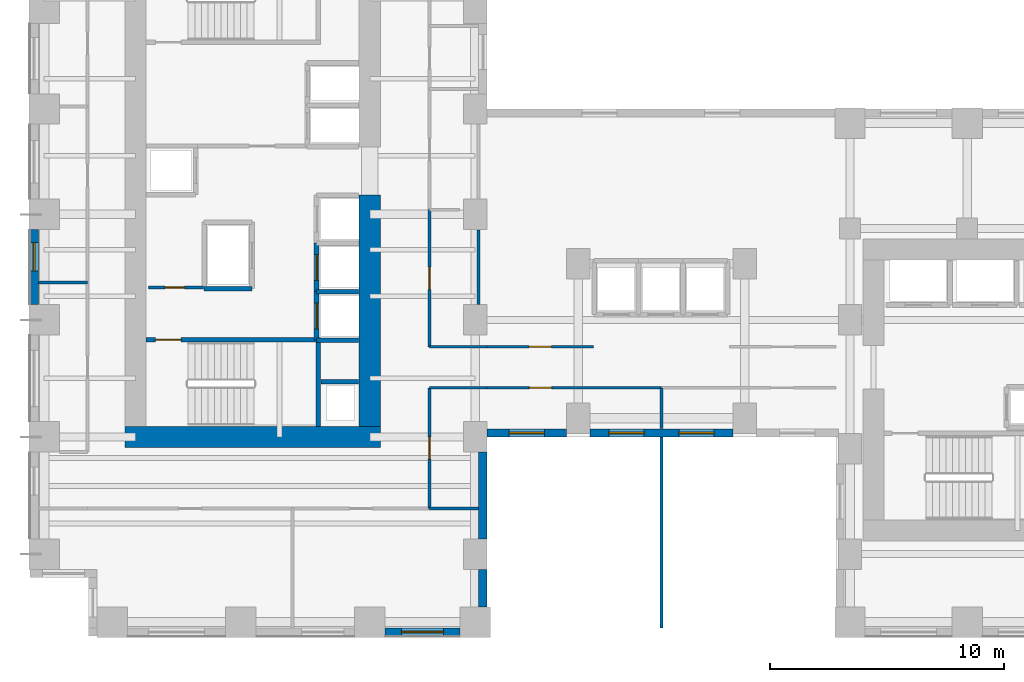
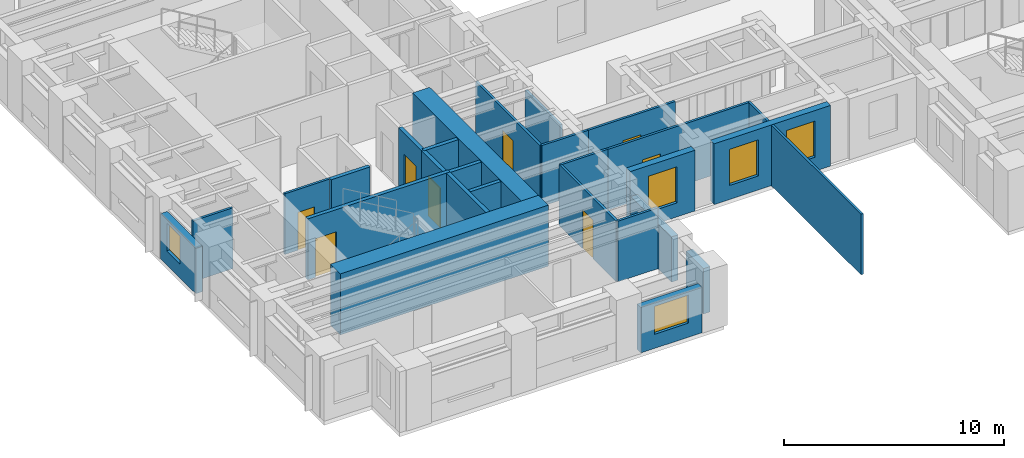
# One storey, part 4 of 12: 28 walls, 8 doors, 5 windows, 13 openings.
"""IFC4 building model written with IfcOpenShell, lengths in metres."""

import ifcopenshell
import ifcopenshell.guid

model = None  # the IFC model being written
_history = None  # IfcOwnerHistory: only IFC2X3 demands one
_inside = {}  # id of a spatial element -> (the spatial element, [elements in it])
_under = {}  # id of a project, library or spatial element -> (it, [spatial elements below it])
_declared = {}  # id of a project -> (the project, [libraries it declares])
_typed = {}  # id of a type object -> (the type object, [elements of that type])
_made_of = {}  # id of a material, layer set ... -> (it, [elements and type objects made of it])


def new_model(schema):
    """Start an empty IFC model of exactly this schema.

    Asked for "IFC4X3", IfcOpenShell would pick the latest addendum, in which some entities
    have other attributes; the version numbers below select the first issue.
    IFC2X3 requires an IfcOwnerHistory on every rooted entity: one is made here for all.
    """
    global model, _history
    if schema == "IFC4X3":
        model = ifcopenshell.file(schema_version=(4, 3, 0, 0))
    else:
        model = ifcopenshell.file(schema=schema)
    _inside.clear()
    _under.clear()
    _declared.clear()
    _typed.clear()
    _made_of.clear()
    _history = None
    if model.schema == "IFC2X3":
        org = make("IfcOrganization", Name="unknown")
        user = make(
            "IfcPersonAndOrganization",
            ThePerson=make("IfcPerson", FamilyName="unknown"),
            TheOrganization=org,
        )
        app = make(
            "IfcApplication",
            ApplicationDeveloper=org,
            Version="unknown",
            ApplicationFullName="unknown",
            ApplicationIdentifier="unknown",
        )
        _history = make(
            "IfcOwnerHistory",
            OwningUser=user,
            OwningApplication=app,
            ChangeAction="ADDED",
            CreationDate=0,
        )
    return model


def make(cls, **values):
    """One entity of the class cls with the attributes given. An attribute that is None is left unset."""
    return model.create_entity(
        cls, **{name: value for name, value in values.items() if value is not None}
    )


def rooted(cls, **values):
    """An entity with a GlobalId (a new one), such as an element, a storey or a relation."""
    return make(cls, GlobalId=ifcopenshell.guid.new(), OwnerHistory=_history, **values)


def si_unit(unit_type, name, prefix=None):
    """IfcSIUnit, for example si_unit("LENGTHUNIT", "METRE", prefix="MILLI")."""
    return make("IfcSIUnit", UnitType=unit_type, Prefix=prefix, Name=name)


def assignment(units):
    """IfcUnitAssignment: the units of a project."""
    return None if units is None else make("IfcUnitAssignment", Units=units)


def point(xyz):
    """IfcCartesianPoint."""
    return None if xyz is None else make("IfcCartesianPoint", Coordinates=xyz)


def direction(xyz):
    """IfcDirection."""
    return None if xyz is None else make("IfcDirection", DirectionRatios=xyz)


def frame(location, z_axis=None, x_axis=None):
    """IfcAxis2Placement3D, a coordinate frame: its origin and axes. An axis left out is left unset."""
    return make(
        "IfcAxis2Placement3D",
        Location=point(location),
        Axis=direction(z_axis),
        RefDirection=direction(x_axis),
    )


def frame_2d(location, x_axis=None):
    """IfcAxis2Placement2D, a coordinate frame in the plane: its origin and x axis."""
    return make(
        "IfcAxis2Placement2D", Location=point(location), RefDirection=direction(x_axis)
    )


def origin():
    """The frame at (0, 0, 0) with its axes left unset."""
    return frame((0.0, 0.0, 0.0))


def place(relative_to, where):
    """IfcLocalPlacement: puts the frame where relative to a parent placement (None: the world)."""
    return make(
        "IfcLocalPlacement", PlacementRelTo=relative_to, RelativePlacement=where
    )


def context(
    kind, dimensions, precision=None, world=None, true_north=None, identifier=None
):
    """IfcGeometricRepresentationContext, for example the 3D "Model" context."""
    return make(
        "IfcGeometricRepresentationContext",
        ContextIdentifier=identifier,
        ContextType=kind,
        CoordinateSpaceDimension=dimensions,
        Precision=precision,
        WorldCoordinateSystem=world,
        TrueNorth=true_north,
    )


def subcontext(parent, identifier, kind, view, scale=None):
    """IfcGeometricRepresentationSubContext, for example "Body" below "Model"."""
    return make(
        "IfcGeometricRepresentationSubContext",
        ContextIdentifier=identifier,
        ContextType=kind,
        ParentContext=parent,
        TargetScale=scale,
        TargetView=view,
    )


def project(units=None, contexts=None):
    """IfcProject with its units and contexts."""
    return rooted(
        "IfcProject",
        Name="project",
        RepresentationContexts=contexts,
        UnitsInContext=assignment(units),
    )


def spatial(cls, under=None, at=None, **own):
    """A site, building, storey or space (cls), placed at a placement, below another one or the project."""
    s = rooted(cls, ObjectPlacement=at, **own)
    if under is not None:
        _under.setdefault(under.id(), (under, []))[1].append(s)
    return s


def profile(cls, at=None, kind="AREA", **sizes):
    """A parametric profile (cls). Its sizes go by their IFC names, for example OverallWidth=200.0."""
    return make(cls, ProfileType=kind, Position=at, **sizes)


def rectangle(**sizes):
    """IfcRectangleProfileDef."""
    return profile("IfcRectangleProfileDef", **sizes)


def extrude(swept, where, along, depth):
    """IfcExtrudedAreaSolid: the profile swept, set in the frame where, extruded along a direction by depth."""
    return make(
        "IfcExtrudedAreaSolid",
        SweptArea=swept,
        Position=where,
        ExtrudedDirection=direction(along),
        Depth=depth,
    )


def shape(context_of_items, identifier, shape_type, items):
    """IfcShapeRepresentation: the items that make up one representation, for example the "Body"."""
    return make(
        "IfcShapeRepresentation",
        ContextOfItems=context_of_items,
        RepresentationIdentifier=identifier,
        RepresentationType=shape_type,
        Items=items,
    )


def source(mapping_origin, context_of_items, identifier, shape_type, items):
    """IfcRepresentationMap: a shape defined once, which mapped items show again and again."""
    return make(
        "IfcRepresentationMap",
        MappingOrigin=mapping_origin,
        MappedRepresentation=shape(context_of_items, identifier, shape_type, items),
    )


def transform(
    local_origin,
    x_axis=None,
    y_axis=None,
    z_axis=None,
    scale=None,
    scale2=None,
    scale3=None,
    uniform=True,
):
    """IfcCartesianTransformationOperator3D, or its non-uniform kind. x_axis, y_axis, z_axis: its Axis1, 2, 3."""
    if uniform:
        return make(
            "IfcCartesianTransformationOperator3D",
            Axis1=direction(x_axis),
            Axis2=direction(y_axis),
            LocalOrigin=point(local_origin),
            Scale=scale,
            Axis3=direction(z_axis),
        )
    return make(
        "IfcCartesianTransformationOperator3DnonUniform",
        Axis1=direction(x_axis),
        Axis2=direction(y_axis),
        LocalOrigin=point(local_origin),
        Scale=scale,
        Axis3=direction(z_axis),
        Scale2=scale2,
        Scale3=scale3,
    )


def mapped(mapping_source, mapping_target):
    """IfcMappedItem: shows the shape of a source again, moved by a transform."""
    return make(
        "IfcMappedItem", MappingSource=mapping_source, MappingTarget=mapping_target
    )


def material(Name=None, Category=None):
    """IfcMaterial."""
    return make("IfcMaterial", Name=Name, Category=Category)


def layer(
    of_material, thickness, ventilated=None, Name=None, Category=None, Priority=None
):
    """IfcMaterialLayer: one layer of a wall or slab, of a material (None: an air gap)."""
    return make(
        "IfcMaterialLayer",
        Material=of_material,
        LayerThickness=thickness,
        IsVentilated=ventilated,
        Name=Name,
        Category=Category,
        Priority=Priority,
    )


def layer_set(layers, Name=None):
    """IfcMaterialLayerSet."""
    return make("IfcMaterialLayerSet", MaterialLayers=layers, LayerSetName=Name)


def made_of(thing, what):
    """Note that an element or type object is made of a material, layer set ...; save() writes the relation."""
    if what is not None:
        _made_of.setdefault(what.id(), (what, []))[1].append(thing)
    return thing


def type_object(cls, material=None, **own):
    """A type object (cls), such as IfcWallType, which elements share."""
    return made_of(rooted(cls, **own), material)


def element(
    cls,
    number,
    at=None,
    inside=None,
    cuts=None,
    type_object=None,
    material=None,
    context=None,
    identifier="Body",
    shape_type=None,
    held_by="IfcProductDefinitionShape",
    body=None,
    shapes=None,
    **own,
):
    """One element of the class cls, such as IfcWall. Its Tag is "e" and its number.

    at: its placement. inside: the storey or other place that contains it. cuts: it is an
    opening in that element (IfcRelVoidsElement). A single representation is given by context,
    identifier, shape_type and body (its items); several are given by shapes. held_by: the class
    of the entity that holds the representations. save() writes the other relations.
    """
    e = rooted(cls, Tag="e%d" % number, ObjectPlacement=at, **own)
    if body is not None:
        shapes = [shape(context, identifier, shape_type, body)]
    if shapes is not None:
        e.Representation = make(held_by, Representations=shapes)
    if inside is not None:
        _inside.setdefault(inside.id(), (inside, []))[1].append(e)
    if cuts is not None:
        rooted(
            "IfcRelVoidsElement", RelatingBuildingElement=cuts, RelatedOpeningElement=e
        )
    if type_object is not None:
        _typed.setdefault(type_object.id(), (type_object, []))[1].append(e)
    return made_of(e, material)


def fill(opening, filler):
    """IfcRelFillsElement: the door or window that sits in an opening."""
    return rooted(
        "IfcRelFillsElement",
        RelatingOpeningElement=opening,
        RelatedBuildingElement=filler,
    )


def aggregate(whole, parts):
    """IfcRelAggregates: a whole, such as a stair, and the parts it consists of."""
    return rooted("IfcRelAggregates", RelatingObject=whole, RelatedObjects=parts)


def save(model, path):
    """Write the relations noted so far, then the file.

    IfcRelAggregates (storeys below a building ...), IfcRelContainedInSpatialStructure (elements
    in a storey), IfcRelDefinesByType, IfcRelAssociatesMaterial and IfcRelDeclares: one each for
    every whole, place, type object, material and project.
    """
    for whole, parts in _under.values():
        aggregate(whole, parts)
    for where, things in _inside.values():
        rooted(
            "IfcRelContainedInSpatialStructure",
            RelatedElements=things,
            RelatingStructure=where,
        )
    for kind, things in _typed.values():
        rooted("IfcRelDefinesByType", RelatedObjects=things, RelatingType=kind)
    for what, things in _made_of.values():
        rooted("IfcRelAssociatesMaterial", RelatedObjects=things, RelatingMaterial=what)
    for by, libraries in _declared.values():
        rooted("IfcRelDeclares", RelatingContext=by, RelatedDefinitions=libraries)
    model.write(path)


model = new_model("IFC4")

# Units and contexts
model_context = context("Model", 3, precision=1e-05, world=origin(), true_north=direction((0.0, 1.0)))
body_context = subcontext(model_context, "Body", "Model", "MODEL_VIEW")
ifc_project = project(units=[si_unit("LENGTHUNIT", "METRE"), si_unit("AREAUNIT", "SQUARE_METRE"), si_unit("VOLUMEUNIT", "CUBIC_METRE"), si_unit("PLANEANGLEUNIT", "RADIAN"), si_unit("MASSUNIT", "GRAM", prefix="KILO")], contexts=[model_context])

# Site, building, storey
site_placement = place(None, origin())
site = spatial("IfcSite", under=ifc_project, at=site_placement, CompositionType="ELEMENT")
building_placement = place(site_placement, origin())
building = spatial("IfcBuilding", under=site, at=building_placement, Name="Kharzan Plaza Tower", CompositionType="ELEMENT")
storey_placement = place(building_placement, frame((0.0, 0.0, 26.10009765625)))
storey = spatial("IfcBuildingStorey", under=building, at=storey_placement, Name="L06", CompositionType="ELEMENT", Elevation=26.10009765625)

# Wall, opening, window
ifc_material_1 = material(Name="Concrete C40/50", Category="concrete")
ifc_layer_1 = layer(ifc_material_1, 0.35009765625)
ifc_layer_set_1 = layer_set([ifc_layer_1], Name="Concrete C40/50")
wall_type_1 = type_object("IfcWallType", Name="WL-EXT-MAS-Z1", PredefinedType="SOLIDWALL", material=ifc_layer_set_1)
wall_1_placement = place(storey_placement, frame((0.175048828125, 17.35205078125, 0.0), z_axis=(0.0, 0.0, 1.0), x_axis=(0.0, -1.0, 0.0)))
wall_1 = element("IfcWall", 1, at=wall_1_placement, inside=storey, type_object=wall_type_1, Name="L06 Masonry-Frame Exterior Wall 17", PredefinedType="SOLIDWALL", context=body_context, shape_type="SweptSolid", body=[
    extrude(rectangle(XDim=3.2041015625, YDim=0.35009765625, at=frame_2d((1.60205078125, 0.0))), origin(), (0.0, 0.0, 1.0), 2.510009765625),
])
opening_1_placement = place(wall_1_placement, frame((0.56103515625, 0.0, 0.780029296875)))
opening_1 = element("IfcOpeningElement", 2, at=opening_1_placement, cuts=wall_1, Name="Opening W3", PredefinedType="OPENING", context=body_context, shape_type="SweptSolid", body=[
    extrude(rectangle(XDim=1.199951171875, YDim=1.550048828125, at=frame_2d((0.60009765625, 0.77490234375))), frame((0.0, 0.18505859375, 0.0), z_axis=(0.0, -1.0, 0.0), x_axis=(1.0, 0.0, 0.0)), (0.0, 0.0, 1.0), 0.3701171875),
])
ifc_material_2 = material(Name="Low-E Double Glazing", Category="glass")
window_type_1 = type_object("IfcWindowType", Name="WN-REC-1200x2100", PartitioningType="SINGLE_PANEL", PredefinedType="WINDOW", material=ifc_material_2)
shared_shape_1 = source(origin(), body_context, "Body", "SweptSolid", [
    extrude(rectangle(XDim=1.199951171875, YDim=1.550048828125, at=frame_2d((0.60009765625, 0.77490234375))), frame((0.0, 0.030029296875, 0.0), z_axis=(0.0, -1.0, 0.0), x_axis=(1.0, 0.0, 0.0)), (0.0, 0.0, 1.0), 0.06005859375),
])
window_1_placement = place(opening_1_placement, origin())
window_1 = element("IfcWindow", 3, at=window_1_placement, inside=storey, type_object=window_type_1, Name="L06 Recessed Solar-Control Window 17-1", OverallHeight=1.550048828125, OverallWidth=1.199951171875, PartitioningType="SINGLE_PANEL", PredefinedType="WINDOW", context=body_context, shape_type="MappedRepresentation", body=[
    mapped(shared_shape_1, transform((0.0, 0.0, 0.0), x_axis=(1.0, 0.0, 0.0), y_axis=(0.0, 1.0, 0.0), z_axis=(0.0, 0.0, 1.0))),
])
fill(opening_1, window_1)

wall_2_placement = place(storey_placement, frame((15.14794921875, 0.175048828125, 0.0), z_axis=(0.0, 0.0, 1.0), x_axis=(1.0, 0.0, 0.0)))
wall_2 = element("IfcWall", 4, at=wall_2_placement, inside=storey, type_object=wall_type_1, Name="L06 Masonry-Frame Exterior Wall 25", PredefinedType="SOLIDWALL", context=body_context, shape_type="SweptSolid", body=[
    extrude(rectangle(XDim=3.2041015625, YDim=0.35009765625, at=frame_2d((1.60205078125, 0.0))), origin(), (0.0, 0.0, 1.0), 2.510009765625),
])
opening_2_placement = place(wall_2_placement, frame((0.701904296875, 0.0, 0.780029296875)))
opening_2 = element("IfcOpeningElement", 5, at=opening_2_placement, cuts=wall_2, Name="Opening W1", PredefinedType="OPENING", context=body_context, shape_type="SweptSolid", body=[
    extrude(rectangle(XDim=1.800048828125, YDim=1.550048828125, at=frame_2d((0.89990234375, 0.77490234375))), frame((0.0, 0.18505859375, 0.0), z_axis=(0.0, -1.0, 0.0), x_axis=(1.0, 0.0, 0.0)), (0.0, 0.0, 1.0), 0.3701171875),
])
window_type_2 = type_object("IfcWindowType", Name="WN-REC-1800x2100", PartitioningType="SINGLE_PANEL", PredefinedType="WINDOW", material=ifc_material_2)
shared_shape_2 = source(origin(), body_context, "Body", "SweptSolid", [
    extrude(rectangle(XDim=1.800048828125, YDim=1.550048828125, at=frame_2d((0.89990234375, 0.77490234375))), frame((0.0, 0.030029296875, 0.0), z_axis=(0.0, -1.0, 0.0), x_axis=(1.0, 0.0, 0.0)), (0.0, 0.0, 1.0), 0.06005859375),
])
window_2_placement = place(opening_2_placement, origin())
window_2 = element("IfcWindow", 6, at=window_2_placement, inside=storey, type_object=window_type_2, Name="L06 Recessed Solar-Control Window 25-1", OverallHeight=1.550048828125, OverallWidth=1.800048828125, PartitioningType="SINGLE_PANEL", PredefinedType="WINDOW", context=body_context, shape_type="MappedRepresentation", body=[
    mapped(shared_shape_2, transform((0.0, 0.0, 0.0), x_axis=(1.0, 0.0, 0.0), y_axis=(0.0, 1.0, 0.0), z_axis=(0.0, 0.0, 1.0))),
])
fill(opening_2, window_2)

wall_3_placement = place(storey_placement, frame((19.498046875, 8.675048828125, 0.0), z_axis=(0.0, 0.0, 1.0), x_axis=(1.0, 0.0, 0.0)))
wall_3 = element("IfcWall", 7, at=wall_3_placement, inside=storey, type_object=wall_type_1, Name="L06 Masonry-Frame Exterior Wall 28", PredefinedType="SOLIDWALL", context=body_context, shape_type="SweptSolid", body=[
    extrude(rectangle(XDim=3.404052734375, YDim=0.35009765625, at=frame_2d((1.7021484375, 0.0))), origin(), (0.0, 0.0, 1.0), 3.364990234375),
])
opening_3_placement = place(wall_3_placement, frame((0.951904296875, 0.0, 0.780029296875)))
opening_3 = element("IfcOpeningElement", 8, at=opening_3_placement, cuts=wall_3, Name="Opening W5", PredefinedType="OPENING", context=body_context, shape_type="SweptSolid", body=[
    extrude(rectangle(XDim=1.5, YDim=2.0, at=frame_2d((0.75, 1.0))), frame((0.0, 0.18505859375, 0.0), z_axis=(0.0, -1.0, 0.0), x_axis=(1.0, 0.0, 0.0)), (0.0, 0.0, 1.0), 0.3701171875),
])
window_type_3 = type_object("IfcWindowType", Name="WN-SLT-1500x2000", PartitioningType="SINGLE_PANEL", PredefinedType="WINDOW", material=ifc_material_2)
shared_shape_3 = source(origin(), body_context, "Body", "SweptSolid", [
    extrude(rectangle(XDim=1.5, YDim=2.0, at=frame_2d((0.75, 1.0))), frame((0.0, 0.030029296875, 0.0), z_axis=(0.0, -1.0, 0.0), x_axis=(1.0, 0.0, 0.0)), (0.0, 0.0, 1.0), 0.06005859375),
])
window_3_placement = place(opening_3_placement, origin())
window_3 = element("IfcWindow", 9, at=window_3_placement, inside=storey, type_object=window_type_3, Name="L06 Recessed Solar-Control Window 28-1", OverallHeight=2.0, OverallWidth=1.5, PartitioningType="SINGLE_PANEL", PredefinedType="WINDOW", context=body_context, shape_type="MappedRepresentation", body=[
    mapped(shared_shape_3, transform((0.0, 0.0, 0.0), x_axis=(1.0, 0.0, 0.0), y_axis=(0.0, 1.0, 0.0), z_axis=(0.0, 0.0, 1.0))),
])
fill(opening_3, window_3)

# Wall, openings, windows
wall_4_placement = place(storey_placement, frame((23.89794921875, 8.675048828125, 0.0), z_axis=(0.0, 0.0, 1.0), x_axis=(1.0, 0.0, 0.0)))
wall_4 = element("IfcWall", 10, at=wall_4_placement, inside=storey, type_object=wall_type_1, Name="L06 Masonry-Frame Exterior Wall 29", PredefinedType="SOLIDWALL", context=body_context, shape_type="SweptSolid", body=[
    extrude(rectangle(XDim=6.10400390625, YDim=0.35009765625, at=frame_2d((3.052001953125, 0.0))), origin(), (0.0, 0.0, 1.0), 3.364990234375),
])
opening_4_placement = place(wall_4_placement, frame((0.81103515625, 0.0, 0.780029296875)))
opening_4 = element("IfcOpeningElement", 11, at=opening_4_placement, cuts=wall_4, Name="Opening W5", PredefinedType="OPENING", context=body_context, shape_type="SweptSolid", body=[
    extrude(rectangle(XDim=1.5, YDim=2.0, at=frame_2d((0.75, 1.0))), frame((0.0, 0.18505859375, 0.0), z_axis=(0.0, -1.0, 0.0), x_axis=(1.0, 0.0, 0.0)), (0.0, 0.0, 1.0), 0.3701171875),
])
opening_5_placement = place(wall_4_placement, frame((3.79296875, 0.0, 0.780029296875)))
opening_5 = element("IfcOpeningElement", 12, at=opening_5_placement, cuts=wall_4, Name="Opening W5", PredefinedType="OPENING", context=body_context, shape_type="SweptSolid", body=[
    extrude(rectangle(XDim=1.5, YDim=2.0, at=frame_2d((0.75, 1.0))), frame((0.0, 0.18505859375, 0.0), z_axis=(0.0, -1.0, 0.0), x_axis=(1.0, 0.0, 0.0)), (0.0, 0.0, 1.0), 0.3701171875),
])
window_4_placement = place(opening_4_placement, origin())
window_4 = element("IfcWindow", 13, at=window_4_placement, inside=storey, type_object=window_type_3, Name="L06 Recessed Solar-Control Window 29-1", OverallHeight=2.0, OverallWidth=1.5, PartitioningType="SINGLE_PANEL", PredefinedType="WINDOW", context=body_context, shape_type="MappedRepresentation", body=[
    mapped(shared_shape_3, transform((0.0, 0.0, 0.0), x_axis=(1.0, 0.0, 0.0), y_axis=(0.0, 1.0, 0.0), z_axis=(0.0, 0.0, 1.0))),
])
fill(opening_4, window_4)
window_5_placement = place(opening_5_placement, origin())
window_5 = element("IfcWindow", 14, at=window_5_placement, inside=storey, type_object=window_type_3, Name="L06 Recessed Solar-Control Window 29-2", OverallHeight=2.0, OverallWidth=1.5, PartitioningType="SINGLE_PANEL", PredefinedType="WINDOW", context=body_context, shape_type="MappedRepresentation", body=[
    mapped(shared_shape_3, transform((0.0, 0.0, 0.0), x_axis=(1.0, 0.0, 0.0), y_axis=(0.0, 1.0, 0.0), z_axis=(0.0, 0.0, 1.0))),
])
fill(opening_5, window_5)

# Wall, opening, door
ifc_material_3 = material(Name="Fire-Rated Gypsum Board Partition", Category="gypsum")
ifc_layer_2 = layer(ifc_material_3, 0.125)
ifc_layer_set_2 = layer_set([ifc_layer_2], Name="Fire-Rated Gypsum Board Partition")
wall_type_2 = type_object("IfcWallType", Name="WL-INT-PART-125", PredefinedType="PARTITIONING", material=ifc_layer_set_2)
wall_5_placement = place(storey_placement, frame((5.050048828125, 14.8798828125, 0.0), z_axis=(0.0, 0.0, 1.0), x_axis=(1.0, 0.0, 0.0)))
wall_5 = element("IfcWall", 15, at=wall_5_placement, inside=storey, type_object=wall_type_2, Name="L06 Interior Partition CA-K0", PredefinedType="PARTITIONING", context=body_context, shape_type="SweptSolid", body=[
    extrude(rectangle(XDim=2.349853515625, YDim=0.125, at=frame_2d((1.1748046875, 0.0))), origin(), (0.0, 0.0, 1.0), 3.364990234375),
])
opening_6_placement = place(wall_5_placement, frame((0.699951171875, 0.0, 0.0)))
opening_6 = element("IfcOpeningElement", 16, at=opening_6_placement, cuts=wall_5, Name="Opening RD1", PredefinedType="OPENING", context=body_context, shape_type="SweptSolid", body=[
    extrude(rectangle(XDim=0.85009765625, YDim=2.10009765625, at=frame_2d((0.425048828125, 1.050048828125))), frame((0.0, 0.072509765625, 0.0), z_axis=(0.0, -1.0, 0.0), x_axis=(1.0, 0.0, 0.0)), (0.0, 0.0, 1.0), 0.14501953125),
])
ifc_material_4 = material(Name="Powder-Coated Fire-Rated Steel", Category="steel")
door_type_1 = type_object("IfcDoorType", Name="DR-RISER-900", OperationType="NOTDEFINED", PredefinedType="DOOR", material=ifc_material_4)
shared_shape_4 = source(origin(), body_context, "Body", "SweptSolid", [
    extrude(rectangle(XDim=0.85009765625, YDim=2.10009765625, at=frame_2d((0.425048828125, 1.050048828125))), frame((0.0, 0.02490234375, 0.0), z_axis=(0.0, -1.0, 0.0), x_axis=(1.0, 0.0, 0.0)), (0.0, 0.0, 1.0), 0.050048828125),
])
door_1_placement = place(opening_6_placement, origin())
door_1 = element("IfcDoor", 17, at=door_1_placement, inside=storey, type_object=door_type_1, Name="L06 Cleaners Store Door", OperationType="SINGLE_SWING_LEFT", OverallHeight=2.10009765625, OverallWidth=0.85009765625, PredefinedType="DOOR", context=body_context, shape_type="MappedRepresentation", body=[
    mapped(shared_shape_4, transform((0.0, 0.0, 0.0), x_axis=(1.0, 0.0, 0.0), y_axis=(0.0, 1.0, 0.0), z_axis=(0.0, 0.0, 1.0))),
])
fill(opening_6, door_1)

wall_6_placement = place(storey_placement, frame((17.050048828125, 12.35009765625, 0.0), z_axis=(0.0, 0.0, 1.0), x_axis=(0.0, 1.0, 0.0)))
wall_6 = element("IfcWall", 18, at=wall_6_placement, inside=storey, type_object=wall_type_2, Name="L06 Interior Partition SH-AEWN1", PredefinedType="PARTITIONING", context=body_context, shape_type="SweptSolid", body=[
    extrude(rectangle(XDim=5.849853515625, YDim=0.125, at=frame_2d((2.9248046875, 0.0))), origin(), (0.0, 0.0, 1.0), 3.364990234375),
])
opening_7_placement = place(wall_6_placement, frame((2.449951171875, 0.0, 0.0)))
opening_7 = element("IfcOpeningElement", 19, at=opening_7_placement, cuts=wall_6, Name="Opening OD1", PredefinedType="OPENING", context=body_context, shape_type="SweptSolid", body=[
    extrude(rectangle(XDim=0.949951171875, YDim=2.14990234375, at=frame_2d((0.47509765625, 1.074951171875))), frame((0.0, 0.072509765625, 0.0), z_axis=(0.0, -1.0, 0.0), x_axis=(1.0, 0.0, 0.0)), (0.0, 0.0, 1.0), 0.14501953125),
])
ifc_material_5 = material(Name="Acoustic Solid-Core Stained Oak", Category="timber")
door_type_2 = type_object("IfcDoorType", Name="DR-OFF-SINGLE", OperationType="NOTDEFINED", PredefinedType="DOOR", material=ifc_material_5)
shared_shape_5 = source(origin(), body_context, "Body", "SweptSolid", [
    extrude(rectangle(XDim=0.949951171875, YDim=2.14990234375, at=frame_2d((0.47509765625, 1.074951171875))), frame((0.0, 0.02490234375, 0.0), z_axis=(0.0, -1.0, 0.0), x_axis=(1.0, 0.0, 0.0)), (0.0, 0.0, 1.0), 0.050048828125),
])
door_2_placement = place(opening_7_placement, origin())
door_2 = element("IfcDoor", 20, at=door_2_placement, inside=storey, type_object=door_type_2, Name="L06 Slot Collaboration Door", OperationType="SINGLE_SWING_RIGHT", OverallHeight=2.14990234375, OverallWidth=0.949951171875, PredefinedType="DOOR", context=body_context, shape_type="MappedRepresentation", body=[
    mapped(shared_shape_5, transform((0.0, 0.0, 0.0), x_axis=(1.0, 0.0, 0.0), y_axis=(0.0, 1.0, 0.0), z_axis=(0.0, 0.0, 1.0))),
])
fill(opening_7, door_2)

wall_7_placement = place(storey_placement, frame((17.050048828125, 5.449951171875, 0.0), z_axis=(0.0, 0.0, 1.0), x_axis=(0.0, 1.0, 0.0)))
wall_7 = element("IfcWall", 21, at=wall_7_placement, inside=storey, type_object=wall_type_2, Name="L06 Interior Partition SH-AEWS", PredefinedType="PARTITIONING", context=body_context, shape_type="SweptSolid", body=[
    extrude(rectangle(XDim=5.150146484375, YDim=0.125, at=frame_2d((2.5751953125, 0.0))), origin(), (0.0, 0.0, 1.0), 3.364990234375),
])
opening_8_placement = place(wall_7_placement, frame((2.10009765625, 0.0, 0.0)))
opening_8 = element("IfcOpeningElement", 22, at=opening_8_placement, cuts=wall_7, Name="Opening OD1", PredefinedType="OPENING", context=body_context, shape_type="SweptSolid", body=[
    extrude(rectangle(XDim=0.949951171875, YDim=2.14990234375, at=frame_2d((0.47509765625, 1.074951171875))), frame((0.0, 0.072509765625, 0.0), z_axis=(0.0, -1.0, 0.0), x_axis=(1.0, 0.0, 0.0)), (0.0, 0.0, 1.0), 0.14501953125),
])
door_3_placement = place(opening_8_placement, origin())
door_3 = element("IfcDoor", 23, at=door_3_placement, inside=storey, type_object=door_type_2, Name="L06 Slot South Office Door", OperationType="SINGLE_SWING_LEFT", OverallHeight=2.14990234375, OverallWidth=0.949951171875, PredefinedType="DOOR", context=body_context, shape_type="MappedRepresentation", body=[
    mapped(shared_shape_5, transform((0.0, 0.0, 0.0), x_axis=(1.0, 0.0, 0.0), y_axis=(0.0, 1.0, 0.0), z_axis=(0.0, 0.0, 1.0))),
])
fill(opening_8, door_3)

wall_8_placement = place(storey_placement, frame((19.5, 12.35009765625, 0.0), z_axis=(0.0, 0.0, 1.0), x_axis=(1.0, 0.0, 0.0)))
wall_8 = element("IfcWall", 24, at=wall_8_placement, inside=storey, type_object=wall_type_2, Name="L06 Interior Partition SH-SPNW1", PredefinedType="PARTITIONING", context=body_context, shape_type="SweptSolid", body=[
    extrude(rectangle(XDim=4.550048828125, YDim=0.125, at=frame_2d((2.27490234375, 0.0))), origin(), (0.0, 0.0, 1.0), 3.364990234375),
])
opening_9_placement = place(wall_8_placement, frame((1.800048828125, 0.0, 0.0)))
opening_9 = element("IfcOpeningElement", 25, at=opening_9_placement, cuts=wall_8, Name="Opening OD1", PredefinedType="OPENING", context=body_context, shape_type="SweptSolid", body=[
    extrude(rectangle(XDim=0.949951171875, YDim=2.14990234375, at=frame_2d((0.47509765625, 1.074951171875))), frame((0.0, 0.072509765625, 0.0), z_axis=(0.0, -1.0, 0.0), x_axis=(1.0, 0.0, 0.0)), (0.0, 0.0, 1.0), 0.14501953125),
])
door_4_placement = place(opening_9_placement, origin())
door_4 = element("IfcDoor", 26, at=door_4_placement, inside=storey, type_object=door_type_2, Name="L06 North-West Spine Door", OperationType="SINGLE_SWING_RIGHT", OverallHeight=2.14990234375, OverallWidth=0.949951171875, PredefinedType="DOOR", context=body_context, shape_type="MappedRepresentation", body=[
    mapped(shared_shape_5, transform((0.0, 0.0, 0.0), x_axis=(1.0, 0.0, 0.0), y_axis=(0.0, 1.0, 0.0), z_axis=(0.0, 0.0, 1.0))),
])
fill(opening_9, door_4)

wall_9_placement = place(storey_placement, frame((19.5, 10.60009765625, 0.0), z_axis=(0.0, 0.0, 1.0), x_axis=(1.0, 0.0, 0.0)))
wall_9 = element("IfcWall", 27, at=wall_9_placement, inside=storey, type_object=wall_type_2, Name="L06 Interior Partition SH-SPS1", PredefinedType="PARTITIONING", context=body_context, shape_type="SweptSolid", body=[
    extrude(rectangle(XDim=7.449951171875, YDim=0.125, at=frame_2d((3.72509765625, 0.0))), origin(), (0.0, 0.0, 1.0), 3.364990234375),
])
opening_10_placement = place(wall_9_placement, frame((1.8173828125, 0.0, 0.0)))
opening_10 = element("IfcOpeningElement", 28, at=opening_10_placement, cuts=wall_9, Name="Opening OD1", PredefinedType="OPENING", context=body_context, shape_type="SweptSolid", body=[
    extrude(rectangle(XDim=0.949951171875, YDim=2.14990234375, at=frame_2d((0.47509765625, 1.074951171875))), frame((0.0, 0.072509765625, 0.0), z_axis=(0.0, -1.0, 0.0), x_axis=(1.0, 0.0, 0.0)), (0.0, 0.0, 1.0), 0.14501953125),
])
door_5_placement = place(opening_10_placement, origin())
door_5 = element("IfcDoor", 29, at=door_5_placement, inside=storey, type_object=door_type_2, Name="L06 South Spine West Door", OperationType="SINGLE_SWING_RIGHT", OverallHeight=2.14990234375, OverallWidth=0.949951171875, PredefinedType="DOOR", context=body_context, shape_type="MappedRepresentation", body=[
    mapped(shared_shape_5, transform((0.0, 0.0, 0.0), x_axis=(1.0, 0.0, 0.0), y_axis=(0.0, 1.0, 0.0), z_axis=(0.0, 0.0, 1.0))),
])
fill(opening_10, door_5)

ifc_layer_3 = layer(ifc_material_1, 0.199951171875)
ifc_layer_set_3 = layer_set([ifc_layer_3], Name="Concrete C40/50")
wall_type_3 = type_object("IfcWallType", Name="WL-INT-SHAFT-200", PredefinedType="PARTITIONING", material=ifc_layer_set_3)
wall_10_placement = place(storey_placement, frame((12.22998046875, 12.6298828125, 0.0), z_axis=(0.0, 0.0, 1.0), x_axis=(0.0, 1.0, 0.0)))
wall_10 = element("IfcWall", 30, at=wall_10_placement, inside=storey, type_object=wall_type_3, Name="L06 Interior Partition SHF-PL-H1-W", PredefinedType="PARTITIONING", context=body_context, shape_type="SweptSolid", body=[
    extrude(rectangle(XDim=2.070068359375, YDim=0.199951171875, at=frame_2d((1.03515625, 0.0))), origin(), (0.0, 0.0, 1.0), 3.364990234375),
])
opening_11_placement = place(wall_10_placement, frame((0.485107421875, 0.0, 0.0)))
opening_11 = element("IfcOpeningElement", 31, at=opening_11_placement, cuts=wall_10, Name="Opening LD", PredefinedType="OPENING", context=body_context, shape_type="SweptSolid", body=[
    extrude(rectangle(XDim=1.10009765625, YDim=2.199951171875, at=frame_2d((0.550048828125, 1.10009765625))), frame((0.0, 0.10986328125, 0.0), z_axis=(0.0, -1.0, 0.0), x_axis=(1.0, 0.0, 0.0)), (0.0, 0.0, 1.0), 0.219970703125),
])
ifc_material_6 = material(Name="Brushed Stainless Steel", Category="steel")
door_type_3 = type_object("IfcDoorType", Name="DR-LIFT-SLIDE", OperationType="SLIDING_TO_LEFT", PredefinedType="DOOR", material=ifc_material_6)
shared_shape_6 = source(origin(), body_context, "Body", "SweptSolid", [
    extrude(rectangle(XDim=1.10009765625, YDim=2.199951171875, at=frame_2d((0.550048828125, 1.10009765625))), frame((0.0, 0.02490234375, 0.0), z_axis=(0.0, -1.0, 0.0), x_axis=(1.0, 0.0, 0.0)), (0.0, 0.0, 1.0), 0.050048828125),
])
door_6_placement = place(opening_11_placement, origin())
door_6 = element("IfcDoor", 32, at=door_6_placement, inside=storey, type_object=door_type_3, Name="L06 High-Rise Passenger Lift PL-H1 Sliding Landing Door", OperationType="SLIDING_TO_LEFT", OverallHeight=2.199951171875, OverallWidth=1.10009765625, PredefinedType="DOOR", context=body_context, shape_type="MappedRepresentation", body=[
    mapped(shared_shape_6, transform((0.0, 0.0, 0.0), x_axis=(1.0, 0.0, 0.0), y_axis=(0.0, 1.0, 0.0), z_axis=(0.0, 0.0, 1.0))),
])
fill(opening_11, door_6)

wall_11_placement = place(storey_placement, frame((12.22998046875, 14.699951171875, 0.0), z_axis=(0.0, 0.0, 1.0), x_axis=(0.0, 1.0, 0.0)))
wall_11 = element("IfcWall", 33, at=wall_11_placement, inside=storey, type_object=wall_type_3, Name="L06 Interior Partition SHF-PL-H2-W", PredefinedType="PARTITIONING", context=body_context, shape_type="SweptSolid", body=[
    extrude(rectangle(XDim=2.070068359375, YDim=0.199951171875, at=frame_2d((1.03515625, 0.0))), origin(), (0.0, 0.0, 1.0), 3.364990234375),
])
opening_12_placement = place(wall_11_placement, frame((0.485107421875, 0.0, 0.0)))
opening_12 = element("IfcOpeningElement", 34, at=opening_12_placement, cuts=wall_11, Name="Opening LD", PredefinedType="OPENING", context=body_context, shape_type="SweptSolid", body=[
    extrude(rectangle(XDim=1.10009765625, YDim=2.199951171875, at=frame_2d((0.550048828125, 1.10009765625))), frame((0.0, 0.10986328125, 0.0), z_axis=(0.0, -1.0, 0.0), x_axis=(1.0, 0.0, 0.0)), (0.0, 0.0, 1.0), 0.219970703125),
])
door_7_placement = place(opening_12_placement, origin())
door_7 = element("IfcDoor", 35, at=door_7_placement, inside=storey, type_object=door_type_3, Name="L06 High-Rise Passenger Lift PL-H2 Sliding Landing Door", OperationType="SLIDING_TO_LEFT", OverallHeight=2.199951171875, OverallWidth=1.10009765625, PredefinedType="DOOR", context=body_context, shape_type="MappedRepresentation", body=[
    mapped(shared_shape_6, transform((0.0, 0.0, 0.0), x_axis=(1.0, 0.0, 0.0), y_axis=(0.0, 1.0, 0.0), z_axis=(0.0, 0.0, 1.0))),
])
fill(opening_12, door_7)

ifc_material_7 = material(Name="Concrete C50/60", Category="concrete")
ifc_layer_4 = layer(ifc_material_7, 0.199951171875)
ifc_layer_set_4 = layer_set([ifc_layer_4], Name="Concrete C50/60")
wall_type_4 = type_object("IfcWallType", Name="WL-SHAFT-RC200", PredefinedType="SHEAR", material=ifc_layer_set_4)
wall_12_placement = place(storey_placement, frame((4.951904296875, 12.655029296875, 0.0), z_axis=(0.0, 0.0, 1.0), x_axis=(1.0, 0.0, 0.0)))
wall_12 = element("IfcWall", 36, at=wall_12_placement, inside=storey, type_object=wall_type_4, Name="L06 Stair ST-1 North RC Shaft Wall", PredefinedType="SHEAR", context=body_context, shape_type="SweptSolid", body=[
    extrude(rectangle(XDim=7.453125, YDim=0.199951171875, at=frame_2d((3.7265625, 0.0))), origin(), (0.0, 0.0, 1.0), 3.3798828125),
])
opening_13_placement = place(wall_12_placement, frame((0.39990234375, 0.0, 0.0)))
opening_13 = element("IfcOpeningElement", 37, at=opening_13_placement, cuts=wall_12, Name="Opening SD1", PredefinedType="OPENING", context=body_context, shape_type="SweptSolid", body=[
    extrude(rectangle(XDim=1.10009765625, YDim=2.14990234375, at=frame_2d((0.550048828125, 1.074951171875))), frame((0.0, 0.10986328125, 0.0), z_axis=(0.0, -1.0, 0.0), x_axis=(1.0, 0.0, 0.0)), (0.0, 0.0, 1.0), 0.219970703125),
])
ifc_material_8 = material(Name="Fire-Rated Hollow Galvanized Steel", Category="steel")
door_type_4 = type_object("IfcDoorType", Name="DR-STAIR-FD120", OperationType="NOTDEFINED", PredefinedType="DOOR", material=ifc_material_8)
shared_shape_7 = source(origin(), body_context, "Body", "SweptSolid", [
    extrude(rectangle(XDim=1.10009765625, YDim=2.14990234375, at=frame_2d((0.550048828125, 1.074951171875))), frame((0.0, 0.02490234375, 0.0), z_axis=(0.0, -1.0, 0.0), x_axis=(1.0, 0.0, 0.0)), (0.0, 0.0, 1.0), 0.050048828125),
])
door_8_placement = place(opening_13_placement, origin())
door_8 = element("IfcDoor", 38, at=door_8_placement, inside=storey, type_object=door_type_4, Name="L06 Stair ST-1 Fire Exit Door", OperationType="SINGLE_SWING_LEFT", OverallHeight=2.14990234375, OverallWidth=1.10009765625, PredefinedType="DOOR", context=body_context, shape_type="MappedRepresentation", body=[
    mapped(shared_shape_7, transform((0.0, 0.0, 0.0), x_axis=(1.0, 0.0, 0.0), y_axis=(0.0, 1.0, 0.0), z_axis=(0.0, 0.0, 1.0))),
])
fill(opening_13, door_8)

# Walls
ifc_material_9 = material(Name="Concrete C60/75", Category="concrete")
ifc_layer_5 = layer(ifc_material_9, 0.89990234375)
ifc_layer_set_5 = layer_set([ifc_layer_5], Name="Concrete C60/75")
wall_type_5 = type_object("IfcWallType", Name="WL-CORE-900", PredefinedType="SHEAR", material=ifc_layer_set_5)
shared_shape_8 = source(origin(), body_context, "Body", "SweptSolid", [
    extrude(rectangle(XDim=9.8701171875, YDim=0.89990234375, at=frame_2d((4.93505859375, 0.0))), origin(), (0.0, 0.0, 1.0), 3.3798828125),
])
wall_13_placement = place(storey_placement, frame((14.5, 8.949951171875, 0.0), z_axis=(0.0, 0.0, 1.0), x_axis=(0.0, 1.0, 0.0)))
element("IfcWall", 39, at=wall_13_placement, inside=storey, type_object=wall_type_5, Name="L06 CORE-A east shear pier 1", PredefinedType="SHEAR", context=body_context, shape_type="MappedRepresentation", body=[
    mapped(shared_shape_8, transform((0.0, 0.0, 0.0), x_axis=(1.0, 0.0, 0.0), y_axis=(0.0, 1.0, 0.0), z_axis=(0.0, 0.0, 1.0))),
])
shared_shape_9 = source(origin(), body_context, "Body", "SweptSolid", [
    extrude(rectangle(XDim=10.89990234375, YDim=0.89990234375, at=frame_2d((5.449951171875, 0.0))), origin(), (0.0, 0.0, 1.0), 3.3798828125),
])
wall_14_placement = place(storey_placement, frame((4.050048828125, 8.5, 0.0), z_axis=(0.0, 0.0, 1.0), x_axis=(1.0, 0.0, 0.0)))
element("IfcWall", 40, at=wall_14_placement, inside=storey, type_object=wall_type_5, Name="L06 CORE-A south RC shear wall", PredefinedType="SHEAR", context=body_context, shape_type="MappedRepresentation", body=[
    mapped(shared_shape_9, transform((0.0, 0.0, 0.0), x_axis=(1.0, 0.0, 0.0), y_axis=(0.0, 1.0, 0.0), z_axis=(0.0, 0.0, 1.0))),
])
shared_shape_10 = source(origin(), body_context, "Body", "SweptSolid", [
    extrude(rectangle(XDim=1.60400390625, YDim=0.35009765625, at=frame_2d((0.802001953125, 0.0))), origin(), (0.0, 0.0, 1.0), 2.510009765625),
])
wall_15_placement = place(storey_placement, frame((19.324951171875, 1.248046875, 0.0), z_axis=(0.0, 0.0, 1.0), x_axis=(0.0, 1.0, 0.0)))
element("IfcWall", 41, at=wall_15_placement, inside=storey, type_object=wall_type_1, Name="L06 Masonry-Frame Exterior Wall 26", PredefinedType="SOLIDWALL", context=body_context, shape_type="MappedRepresentation", body=[
    mapped(shared_shape_10, transform((0.0, 0.0, 0.0), x_axis=(1.0, 0.0, 0.0), y_axis=(0.0, 1.0, 0.0), z_axis=(0.0, 0.0, 1.0))),
])
shared_shape_11 = source(origin(), body_context, "Body", "SweptSolid", [
    extrude(rectangle(XDim=3.7041015625, YDim=0.35009765625, at=frame_2d((1.85205078125, 0.0))), origin(), (0.0, 0.0, 1.0), 2.510009765625),
])
wall_16_placement = place(storey_placement, frame((19.324951171875, 4.14794921875, 0.0), z_axis=(0.0, 0.0, 1.0), x_axis=(0.0, 1.0, 0.0)))
element("IfcWall", 42, at=wall_16_placement, inside=storey, type_object=wall_type_1, Name="L06 Masonry-Frame Exterior Wall 27", PredefinedType="SOLIDWALL", context=body_context, shape_type="MappedRepresentation", body=[
    mapped(shared_shape_11, transform((0.0, 0.0, 0.0), x_axis=(1.0, 0.0, 0.0), y_axis=(0.0, 1.0, 0.0), z_axis=(0.0, 0.0, 1.0))),
])
shared_shape_12 = source(origin(), body_context, "Body", "SweptSolid", [
    extrude(rectangle(XDim=3.18017578125, YDim=0.125, at=frame_2d((1.590087890625, 0.0))), origin(), (0.0, 0.0, 1.0), 2.669921875),
])
wall_17_placement = place(storey_placement, frame((19.14990234375, 14.159912109375, 0.0), z_axis=(0.0, 0.0, 1.0), x_axis=(0.0, 1.0, 0.0)))
element("IfcWall", 43, at=wall_17_placement, inside=storey, type_object=wall_type_2, Name="L06 Interior Partition SH-AEN-DIV-S1", PredefinedType="PARTITIONING", context=body_context, shape_type="MappedRepresentation", body=[
    mapped(shared_shape_12, transform((0.0, 0.0, 0.0), x_axis=(1.0, 0.0, 0.0), y_axis=(0.0, 1.0, 0.0), z_axis=(0.0, 0.0, 1.0))),
])
shared_shape_13 = source(origin(), body_context, "Body", "SweptSolid", [
    extrude(rectangle(XDim=1.60009765625, YDim=0.199951171875, at=frame_2d((0.800048828125, 0.0))), origin(), (0.0, 0.0, 1.0), 3.364990234375),
])
wall_18_placement = place(storey_placement, frame((12.419921875, 10.85009765625, 0.0), z_axis=(0.0, 0.0, 1.0), x_axis=(1.0, 0.0, 0.0)))
element("IfcWall", 44, at=wall_18_placement, inside=storey, type_object=wall_type_3, Name="L06 Interior Partition CA-RSRA-N", PredefinedType="PARTITIONING", context=body_context, shape_type="MappedRepresentation", body=[
    mapped(shared_shape_13, transform((0.0, 0.0, 0.0), x_axis=(1.0, 0.0, 0.0), y_axis=(0.0, 1.0, 0.0), z_axis=(0.0, 0.0, 1.0))),
])
shared_shape_14 = source(origin(), body_context, "Body", "SweptSolid", [
    extrude(rectangle(XDim=1.7900390625, YDim=0.199951171875, at=frame_2d((0.89501953125, 0.0))), origin(), (0.0, 0.0, 1.0), 3.364990234375),
])
for number, where, z_axis, x_axis, name in (
    (45, (12.22998046875, 14.699951171875, 0.0), (0.0, 0.0, 1.0), (1.0, 0.0, 0.0), "L06 Interior Partition SHF-PL-H1-N"),
    (46, (12.22998046875, 12.6298828125, 0.0), (0.0, 0.0, 1.0), (1.0, 0.0, 0.0), "L06 Interior Partition SHF-PL-H1-S"),
):
    element("IfcWall", number, at=place(storey_placement, frame(where, z_axis=z_axis, x_axis=x_axis)), inside=storey, type_object=wall_type_3, Name=name, PredefinedType="PARTITIONING", context=body_context, shape_type="MappedRepresentation", body=[
        mapped(shared_shape_14, transform((0.0, 0.0, 0.0), x_axis=(1.0, 0.0, 0.0), y_axis=(0.0, 1.0, 0.0), z_axis=(0.0, 0.0, 1.0))),
    ])
shared_shape_15 = source(origin(), body_context, "Body", "SweptSolid", [
    extrude(rectangle(XDim=2.0400390625, YDim=0.199951171875, at=frame_2d((1.02001953125, 0.0))), origin(), (0.0, 0.0, 1.0), 3.364990234375),
])
wall_19_placement = place(storey_placement, frame((7.429931640625, 14.830078125, 0.0), z_axis=(0.0, 0.0, 1.0), x_axis=(1.0, 0.0, 0.0)))
element("IfcWall", 47, at=wall_19_placement, inside=storey, type_object=wall_type_3, Name="L06 Interior Partition SHF-SVL-1-S", PredefinedType="PARTITIONING", context=body_context, shape_type="MappedRepresentation", body=[
    mapped(shared_shape_15, transform((0.0, 0.0, 0.0), x_axis=(1.0, 0.0, 0.0), y_axis=(0.0, 1.0, 0.0), z_axis=(0.0, 0.0, 1.0))),
])
shared_shape_16 = source(origin(), body_context, "Body", "SweptSolid", [
    extrude(rectangle(XDim=3.60302734375, YDim=0.199951171875, at=frame_2d((1.801513671875, 0.0))), origin(), (0.0, 0.0, 1.0), 3.3798828125),
])
wall_20_placement = place(storey_placement, frame((12.304931640625, 8.951904296875, 0.0), z_axis=(0.0, 0.0, 1.0), x_axis=(0.0, 1.0, 0.0)))
element("IfcWall", 48, at=wall_20_placement, inside=storey, type_object=wall_type_4, Name="L06 Stair ST-1 East RC Shaft Wall", PredefinedType="SHEAR", context=body_context, shape_type="MappedRepresentation", body=[
    mapped(shared_shape_16, transform((0.0, 0.0, 0.0), x_axis=(1.0, 0.0, 0.0), y_axis=(0.0, 1.0, 0.0), z_axis=(0.0, 0.0, 1.0))),
])
shared_shape_17 = source(origin(), body_context, "Body", "SweptSolid", [
    extrude(rectangle(XDim=2.097900390625, YDim=0.125, at=frame_2d((1.048828125, 0.0))), origin(), (0.0, 0.0, 1.0), 3.364990234375),
])
for number, where, z_axis, x_axis, name in (
    (49, (17.050048828125, 5.449951171875, 0.0), (0.0, 0.0, 1.0), (1.0, 0.0, 0.0), "L06 Interior Partition SH-SSE-2"),
    (50, (0.35205078125, 15.10009765625, 0.0), (0.0, 0.0, 1.0), (1.0, 0.0, 0.0), "L06 Interior Partition SH-WH-1"),
):
    element("IfcWall", number, at=place(storey_placement, frame(where, z_axis=z_axis, x_axis=x_axis)), inside=storey, type_object=wall_type_2, Name=name, PredefinedType="PARTITIONING", context=body_context, shape_type="MappedRepresentation", body=[
        mapped(shared_shape_17, transform((0.0, 0.0, 0.0), x_axis=(1.0, 0.0, 0.0), y_axis=(0.0, 1.0, 0.0), z_axis=(0.0, 0.0, 1.0))),
    ])
shared_shape_18 = source(origin(), body_context, "Body", "SweptSolid", [
    extrude(rectangle(XDim=2.449951171875, YDim=0.125, at=frame_2d((1.22509765625, 0.0))), origin(), (0.0, 0.0, 1.0), 3.364990234375),
])
for number, where, z_axis, x_axis, name in (
    (51, (17.050048828125, 12.35009765625, 0.0), (0.0, 0.0, 1.0), (1.0, 0.0, 0.0), "L06 Interior Partition SH-SPNW0"),
    (52, (17.050048828125, 10.60009765625, 0.0), (0.0, 0.0, 1.0), (1.0, 0.0, 0.0), "L06 Interior Partition SH-SPS0"),
):
    element("IfcWall", number, at=place(storey_placement, frame(where, z_axis=z_axis, x_axis=x_axis)), inside=storey, type_object=wall_type_2, Name=name, PredefinedType="PARTITIONING", context=body_context, shape_type="MappedRepresentation", body=[
        mapped(shared_shape_18, transform((0.0, 0.0, 0.0), x_axis=(1.0, 0.0, 0.0), y_axis=(0.0, 1.0, 0.0), z_axis=(0.0, 0.0, 1.0))),
    ])
shared_shape_19 = source(origin(), body_context, "Body", "SweptSolid", [
    extrude(rectangle(XDim=8.14794921875, YDim=0.125, at=frame_2d((4.073974609375, 0.0))), origin(), (0.0, 0.0, 1.0), 3.364990234375),
])
wall_21_placement = place(storey_placement, frame((26.949951171875, 0.35009765625, 0.0), z_axis=(0.0, 0.0, 1.0), x_axis=(0.0, 1.0, 0.0)))
element("IfcWall", 53, at=wall_21_placement, inside=storey, type_object=wall_type_2, Name="L06 Interior Partition SH-SPSV1-S1", PredefinedType="PARTITIONING", context=body_context, shape_type="MappedRepresentation", body=[
    mapped(shared_shape_19, transform((0.0, 0.0, 0.0), x_axis=(1.0, 0.0, 0.0), y_axis=(0.0, 1.0, 0.0), z_axis=(0.0, 0.0, 1.0))),
])
shared_shape_20 = source(origin(), body_context, "Body", "SweptSolid", [
    extrude(rectangle(XDim=1.748046875, YDim=0.125, at=frame_2d((0.8740234375, 0.0))), origin(), (0.0, 0.0, 1.0), 3.364990234375),
])
wall_22_placement = place(storey_placement, frame((26.949951171875, 8.85205078125, 0.0), z_axis=(0.0, 0.0, 1.0), x_axis=(0.0, 1.0, 0.0)))
element("IfcWall", 54, at=wall_22_placement, inside=storey, type_object=wall_type_2, Name="L06 Interior Partition SH-SPSV1-S2", PredefinedType="PARTITIONING", context=body_context, shape_type="MappedRepresentation", body=[
    mapped(shared_shape_20, transform((0.0, 0.0, 0.0), x_axis=(1.0, 0.0, 0.0), y_axis=(0.0, 1.0, 0.0), z_axis=(0.0, 0.0, 1.0))),
])

save(model, "model.ifc")
